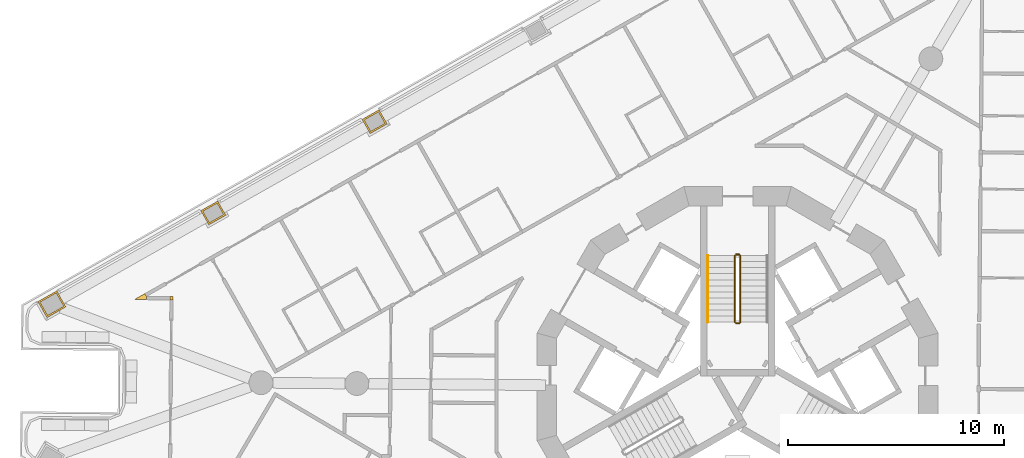
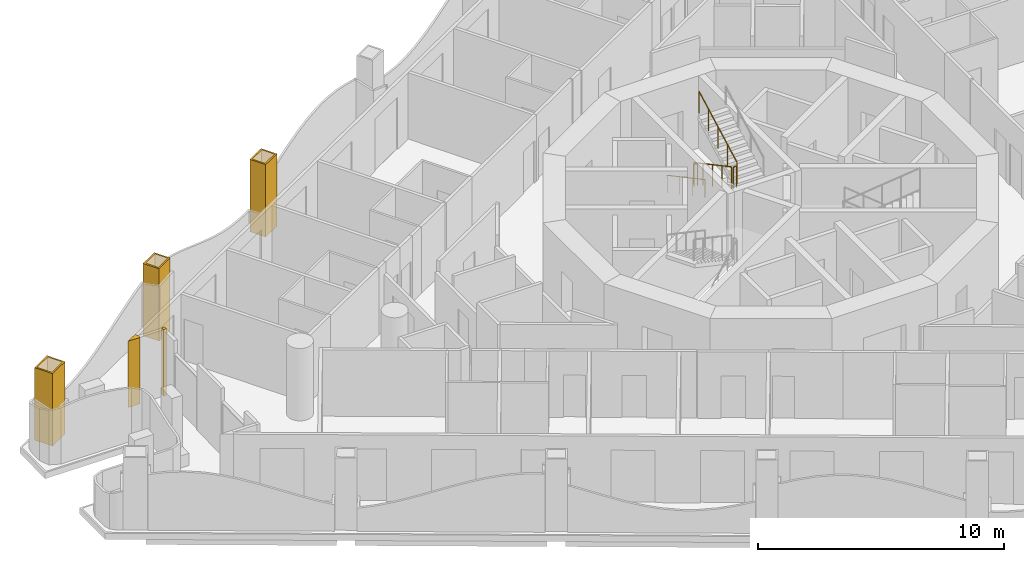
# One storey, part 15 of 17: 5 coverings, 5 railings.
"""IFC4 building model written with IfcOpenShell, lengths in metres."""

from ifc_helpers import new_model, si_unit, direction, frame, origin, origin_2d, place, context, subcontext, project, spatial, polyline, circle, outline, extrude, material, layer, layer_set, type_object, element, save


model = new_model("IFC4")

# Units and contexts
model_context = context("Model", 3, precision=1e-05, world=origin(), true_north=direction((0.0, 1.0)))
body_context = subcontext(model_context, "Body", "Model", "MODEL_VIEW")
ifc_project = project(units=[si_unit("LENGTHUNIT", "METRE"), si_unit("AREAUNIT", "SQUARE_METRE"), si_unit("VOLUMEUNIT", "CUBIC_METRE"), si_unit("PLANEANGLEUNIT", "RADIAN"), si_unit("MASSUNIT", "GRAM", prefix="KILO")], contexts=[model_context])

# Site, building, storey
site_placement = place(None, origin())
site = spatial("IfcSite", under=ifc_project, at=site_placement, CompositionType="ELEMENT")
building_placement = place(site_placement, origin())
building = spatial("IfcBuilding", under=site, at=building_placement, Name="Trine Commons Tower", CompositionType="ELEMENT")
storey_placement = place(building_placement, frame((0.0, 0.0, 179.10009765625)))
storey = spatial("IfcBuildingStorey", under=building, at=storey_placement, Name="L46", CompositionType="ELEMENT", Elevation=179.10009765625)

# Coverings
ifc_material_1 = material(Name="Aluminium-framed insulated wall panel", Category="aluminium")
ifc_layer_1 = layer(ifc_material_1, 0.14990234375)
ifc_layer_set_1 = layer_set([ifc_layer_1], Name="Aluminium-framed insulated wall panel")
covering_type_1 = type_object("IfcCoveringType", Name="Glazing corner post, aluminium", PredefinedType="CLADDING", material=ifc_layer_set_1)
covering_1_placement = place(storey_placement, origin())
element("IfcCovering", 1, at=covering_1_placement, inside=storey, type_object=covering_type_1, Name="Glazing corner post 5-03", PredefinedType="CLADDING", context=body_context, shape_type="SweptSolid", body=[
    extrude(outline(polyline([(53.89892578125, 66.517822265625), (53.900390625, 66.66796875), (53.750244140625, 66.669189453125), (53.7490234375, 66.519287109375), (53.89892578125, 66.517822265625)])), origin(), (0.0, 0.0, 1.0), 3.2998046875),
])
covering_2_placement = place(storey_placement, origin())
element("IfcCovering", 2, at=covering_2_placement, inside=storey, type_object=covering_type_1, Name="Glazing corner post 5-04", PredefinedType="CLADDING", context=body_context, shape_type="SweptSolid", body=[
    extrude(outline(polyline([(52.663330078125, 66.52880859375), (52.66455078125, 66.6787109375), (52.5908203125, 66.809326171875), (52.103515625, 66.53369140625), (52.663330078125, 66.52880859375)])), origin(), (0.0, 0.0, 1.0), 3.2998046875),
])
ifc_material_2 = material(Name="Limestone, honed", Category="masonry")
ifc_layer_2 = layer(ifc_material_2, 0.074951171875)
ifc_layer_set_2 = layer_set([ifc_layer_2], Name="Limestone, honed")
covering_type_2 = type_object("IfcCoveringType", Name="Limestone column cladding 75", PredefinedType="CLADDING", material=ifc_layer_set_2)
covering_3_placement = place(storey_placement, origin())
element("IfcCovering", 3, at=covering_3_placement, inside=storey, type_object=covering_type_2, Name="Limestone pier cladding 5-08", PredefinedType="CLADDING", context=body_context, shape_type="SweptSolid", body=[
    extrude(outline(polyline([(48.94091796875, 66.197509765625), (48.522216796875, 66.9375), (47.65185546875, 66.445068359375), (48.0703125, 65.705078125), (48.94091796875, 66.197509765625)]), holes=[polyline([(48.83837890625, 66.22607421875), (48.493896484375, 66.835205078125), (47.754150390625, 66.41650390625), (48.0986328125, 65.807373046875), (48.83837890625, 66.22607421875)])]), origin(), (0.0, 0.0, 1.0), 3.599853515625),
])
covering_4_placement = place(storey_placement, origin())
element("IfcCovering", 4, at=covering_4_placement, inside=storey, type_object=covering_type_2, Name="Limestone pier cladding 5-09", PredefinedType="CLADDING", context=body_context, shape_type="SweptSolid", body=[
    extrude(outline(polyline([(56.33203125, 70.43701171875), (55.962890625, 71.089599609375), (55.179443359375, 70.646484375), (55.548828125, 69.99365234375), (56.33203125, 70.43701171875)]), holes=[polyline([(56.22998046875, 70.46533203125), (55.9345703125, 70.987548828125), (55.28173828125, 70.6181640625), (55.5771484375, 70.095947265625), (56.22998046875, 70.46533203125)])]), origin(), (0.0, 0.0, 1.0), 3.599853515625),
])
covering_5_placement = place(storey_placement, origin())
element("IfcCovering", 5, at=covering_5_placement, inside=storey, type_object=covering_type_2, Name="Limestone pier cladding 5-10", PredefinedType="CLADDING", context=body_context, shape_type="SweptSolid", body=[
    extrude(outline(polyline([(63.79150390625, 74.6572265625), (63.422119140625, 75.31005859375), (62.638916015625, 74.86669921875), (63.00830078125, 74.214111328125), (63.79150390625, 74.6572265625)]), holes=[polyline([(63.689208984375, 74.685546875), (63.393798828125, 75.207763671875), (62.7412109375, 74.83837890625), (63.03662109375, 74.316162109375), (63.689208984375, 74.685546875)])]), origin(), (0.0, 0.0, 1.0), 3.599853515625),
])

# Railings
ifc_material_3 = material(Name="Stainless steel balustrade", Category="steel")
railing_type_1 = type_object("IfcRailingType", Name="Stair guard, steel balustrade 1100", PredefinedType="GUARDRAIL", material=ifc_material_3)
railing_1_placement = place(storey_placement, frame((79.875, 68.570556640625, 0.14990234375)))
element("IfcRailing", 6, at=railing_1_placement, inside=storey, type_object=railing_type_1, Name="L46 ST1B stair guard 1", PredefinedType="GUARDRAIL", context=body_context, shape_type="SweptSolid", body=[
    extrude(circle(Radius=0.02392578125, at=origin_2d()), frame((0.0, 0.0, 1.076171875), z_axis=(0.0, -0.881496589024, 0.472190389079), x_axis=(1.0, 0.0, 0.0)), (0.0, 0.0, 1.0), 3.494140625),
    extrude(circle(Radius=0.02099609375, at=origin_2d()), origin(), (0.0, 0.0, 1.0), 1.052001953125),
    extrude(circle(Radius=0.02099609375, at=origin_2d()), frame((0.0, -0.77001953125, 0.41259765625)), (0.0, 0.0, 1.0), 1.052001953125),
    extrude(circle(Radius=0.02099609375, at=origin_2d()), frame((0.0, -1.5400390625, 0.824951171875)), (0.0, 0.0, 1.0), 1.052001953125),
    extrude(circle(Radius=0.02099609375, at=origin_2d()), frame((0.0, -2.31005859375, 1.2373046875)), (0.0, 0.0, 1.0), 1.052001953125),
    extrude(circle(Radius=0.02099609375, at=origin_2d()), frame((0.0, -3.080078125, 1.64990234375)), (0.0, 0.0, 1.0), 1.052001953125),
])
railing_2_placement = place(storey_placement, frame((79.925048828125, 65.440673828125, 1.7998046875)))
element("IfcRailing", 7, at=railing_2_placement, inside=storey, type_object=railing_type_1, Name="L46 ST1B stair guard 2", PredefinedType="GUARDRAIL", context=body_context, shape_type="SweptSolid", body=[
    extrude(circle(Radius=0.02392578125, at=origin_2d()), frame((0.0, 0.0, 1.076171875), z_axis=(1.0, 0.0, 0.0), x_axis=(0.0, 1.0, 0.0)), (0.0, 0.0, 1.0), 0.14990234375),
    extrude(circle(Radius=0.02099609375, at=origin_2d()), origin(), (0.0, 0.0, 1.0), 1.052001953125),
    extrude(circle(Radius=0.02099609375, at=origin_2d()), frame((0.14990234375, 0.0, 0.0)), (0.0, 0.0, 1.0), 1.052001953125),
])
railing_3_placement = place(storey_placement, frame((80.125, 65.490478515625, 1.949951171875)))
element("IfcRailing", 8, at=railing_3_placement, inside=storey, type_object=railing_type_1, Name="L46 ST1B stair guard 3", PredefinedType="GUARDRAIL", context=body_context, shape_type="SweptSolid", body=[
    extrude(circle(Radius=0.02392578125, at=origin_2d()), frame((0.0, 0.0, 1.076171875), z_axis=(0.0, 0.881496589024, 0.472190389079), x_axis=(-1.0, 0.0, 0.0)), (0.0, 0.0, 1.0), 3.494140625),
    extrude(circle(Radius=0.02099609375, at=origin_2d()), origin(), (0.0, 0.0, 1.0), 1.052001953125),
    extrude(circle(Radius=0.02099609375, at=origin_2d()), frame((0.0, 0.77001953125, 0.41259765625)), (0.0, 0.0, 1.0), 1.052001953125),
    extrude(circle(Radius=0.02099609375, at=origin_2d()), frame((0.0, 1.5400390625, 0.824951171875)), (0.0, 0.0, 1.0), 1.052001953125),
    extrude(circle(Radius=0.02099609375, at=origin_2d()), frame((0.0, 2.31005859375, 1.2373046875)), (0.0, 0.0, 1.0), 1.052001953125),
    extrude(circle(Radius=0.02099609375, at=origin_2d()), frame((0.0, 3.080078125, 1.64990234375)), (0.0, 0.0, 1.0), 1.052001953125),
])
railing_4_placement = place(storey_placement, frame((79.925048828125, 68.62060546875, 0.0)))
element("IfcRailing", 9, at=railing_4_placement, inside=storey, type_object=railing_type_1, Name="L46 ST1B stair guard 4", PredefinedType="GUARDRAIL", context=body_context, shape_type="SweptSolid", body=[
    extrude(circle(Radius=0.02392578125, at=origin_2d()), frame((0.0, 0.0, 1.076171875), z_axis=(1.0, 0.0, 0.0), x_axis=(0.0, 1.0, 0.0)), (0.0, 0.0, 1.0), 0.14990234375),
    extrude(circle(Radius=0.02099609375, at=origin_2d()), origin(), (0.0, 0.0, 1.0), 1.052001953125),
    extrude(circle(Radius=0.02099609375, at=origin_2d()), frame((0.14990234375, 0.0, 0.0)), (0.0, 0.0, 1.0), 1.052001953125),
])
ifc_material_4 = material(Name="Stainless steel handrail", Category="steel")
railing_type_2 = type_object("IfcRailingType", Name="Stair handrail, steel 900", PredefinedType="HANDRAIL", material=ifc_material_4)
railing_5_placement = place(storey_placement, frame((78.625, 68.570556640625, 0.14990234375)))
element("IfcRailing", 10, at=railing_5_placement, inside=storey, type_object=railing_type_2, Name="L46 ST1B stair handrail 1", PredefinedType="HANDRAIL", context=body_context, shape_type="SweptSolid", body=[
    extrude(circle(Radius=0.02099609375, at=origin_2d()), frame((0.0, 0.0, 0.87890625), z_axis=(0.0, -0.881496589024, 0.472190389079), x_axis=(1.0, 0.0, 0.0)), (0.0, 0.0, 1.0), 3.494140625),
    extrude(circle(Radius=0.01513671875, at=origin_2d()), origin(), (0.0, 0.0, 1.0), 0.85791015625),
    extrude(circle(Radius=0.01513671875, at=origin_2d()), frame((0.0, -1.026611328125, 0.550048828125)), (0.0, 0.0, 1.0), 0.85791015625),
    extrude(circle(Radius=0.01513671875, at=origin_2d()), frame((0.0, -2.053466796875, 1.099853515625)), (0.0, 0.0, 1.0), 0.85791015625),
    extrude(circle(Radius=0.01513671875, at=origin_2d()), frame((0.0, -3.080078125, 1.64990234375)), (0.0, 0.0, 1.0), 0.85791015625),
])

save(model, "model.ifc")
